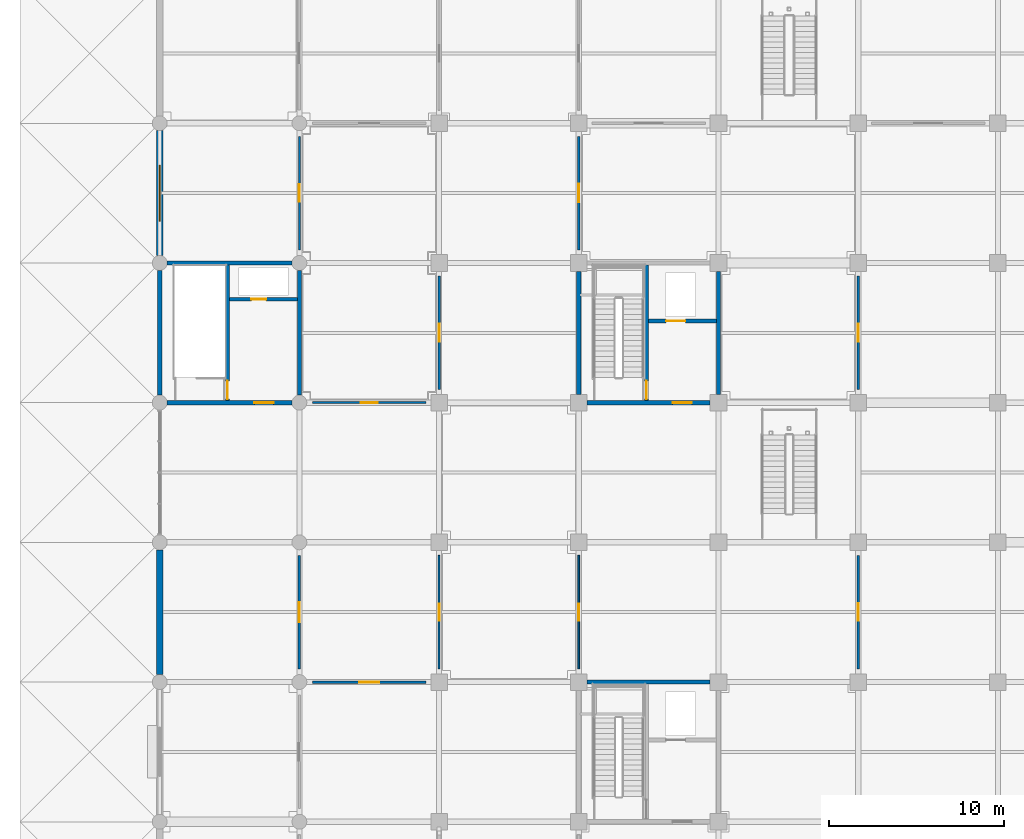
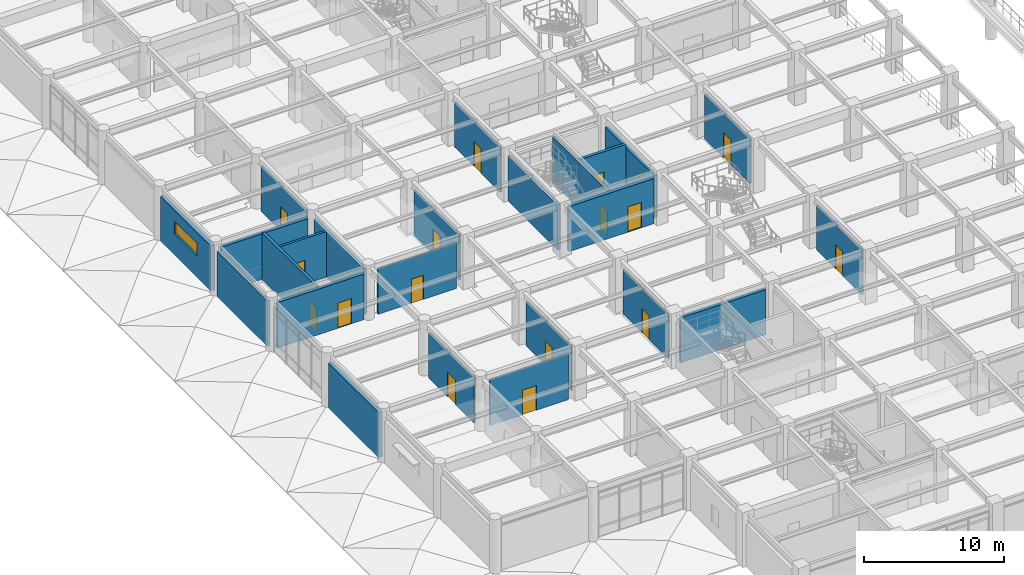
# One storey, part 71 of 109: 24 walls, 16 doors, 1 window, 17 openings.
"""IFC4 building model written with IfcOpenShell, lengths in metres."""

import ifcopenshell
import ifcopenshell.guid

model = None  # the IFC model being written
_history = None  # IfcOwnerHistory: only IFC2X3 demands one
_inside = {}  # id of a spatial element -> (the spatial element, [elements in it])
_under = {}  # id of a project, library or spatial element -> (it, [spatial elements below it])
_declared = {}  # id of a project -> (the project, [libraries it declares])
_typed = {}  # id of a type object -> (the type object, [elements of that type])
_made_of = {}  # id of a material, layer set ... -> (it, [elements and type objects made of it])


def new_model(schema):
    """Start an empty IFC model of exactly this schema.

    Asked for "IFC4X3", IfcOpenShell would pick the latest addendum, in which some entities
    have other attributes; the version numbers below select the first issue.
    IFC2X3 requires an IfcOwnerHistory on every rooted entity: one is made here for all.
    """
    global model, _history
    if schema == "IFC4X3":
        model = ifcopenshell.file(schema_version=(4, 3, 0, 0))
    else:
        model = ifcopenshell.file(schema=schema)
    _inside.clear()
    _under.clear()
    _declared.clear()
    _typed.clear()
    _made_of.clear()
    _history = None
    if model.schema == "IFC2X3":
        org = make("IfcOrganization", Name="unknown")
        user = make(
            "IfcPersonAndOrganization",
            ThePerson=make("IfcPerson", FamilyName="unknown"),
            TheOrganization=org,
        )
        app = make(
            "IfcApplication",
            ApplicationDeveloper=org,
            Version="unknown",
            ApplicationFullName="unknown",
            ApplicationIdentifier="unknown",
        )
        _history = make(
            "IfcOwnerHistory",
            OwningUser=user,
            OwningApplication=app,
            ChangeAction="ADDED",
            CreationDate=0,
        )
    return model


def make(cls, **values):
    """One entity of the class cls with the attributes given. An attribute that is None is left unset."""
    return model.create_entity(
        cls, **{name: value for name, value in values.items() if value is not None}
    )


def rooted(cls, **values):
    """An entity with a GlobalId (a new one), such as an element, a storey or a relation."""
    return make(cls, GlobalId=ifcopenshell.guid.new(), OwnerHistory=_history, **values)


def si_unit(unit_type, name, prefix=None):
    """IfcSIUnit, for example si_unit("LENGTHUNIT", "METRE", prefix="MILLI")."""
    return make("IfcSIUnit", UnitType=unit_type, Prefix=prefix, Name=name)


def assignment(units):
    """IfcUnitAssignment: the units of a project."""
    return None if units is None else make("IfcUnitAssignment", Units=units)


def point(xyz):
    """IfcCartesianPoint."""
    return None if xyz is None else make("IfcCartesianPoint", Coordinates=xyz)


def direction(xyz):
    """IfcDirection."""
    return None if xyz is None else make("IfcDirection", DirectionRatios=xyz)


def frame(location, z_axis=None, x_axis=None):
    """IfcAxis2Placement3D, a coordinate frame: its origin and axes. An axis left out is left unset."""
    return make(
        "IfcAxis2Placement3D",
        Location=point(location),
        Axis=direction(z_axis),
        RefDirection=direction(x_axis),
    )


def frame_2d(location, x_axis=None):
    """IfcAxis2Placement2D, a coordinate frame in the plane: its origin and x axis."""
    return make(
        "IfcAxis2Placement2D", Location=point(location), RefDirection=direction(x_axis)
    )


def origin():
    """The frame at (0, 0, 0) with its axes left unset."""
    return frame((0.0, 0.0, 0.0))


def place(relative_to, where):
    """IfcLocalPlacement: puts the frame where relative to a parent placement (None: the world)."""
    return make(
        "IfcLocalPlacement", PlacementRelTo=relative_to, RelativePlacement=where
    )


def context(
    kind, dimensions, precision=None, world=None, true_north=None, identifier=None
):
    """IfcGeometricRepresentationContext, for example the 3D "Model" context."""
    return make(
        "IfcGeometricRepresentationContext",
        ContextIdentifier=identifier,
        ContextType=kind,
        CoordinateSpaceDimension=dimensions,
        Precision=precision,
        WorldCoordinateSystem=world,
        TrueNorth=true_north,
    )


def subcontext(parent, identifier, kind, view, scale=None):
    """IfcGeometricRepresentationSubContext, for example "Body" below "Model"."""
    return make(
        "IfcGeometricRepresentationSubContext",
        ContextIdentifier=identifier,
        ContextType=kind,
        ParentContext=parent,
        TargetScale=scale,
        TargetView=view,
    )


def project(units=None, contexts=None):
    """IfcProject with its units and contexts."""
    return rooted(
        "IfcProject",
        Name="project",
        RepresentationContexts=contexts,
        UnitsInContext=assignment(units),
    )


def spatial(cls, under=None, at=None, **own):
    """A site, building, storey or space (cls), placed at a placement, below another one or the project."""
    s = rooted(cls, ObjectPlacement=at, **own)
    if under is not None:
        _under.setdefault(under.id(), (under, []))[1].append(s)
    return s


def profile(cls, at=None, kind="AREA", **sizes):
    """A parametric profile (cls). Its sizes go by their IFC names, for example OverallWidth=200.0."""
    return make(cls, ProfileType=kind, Position=at, **sizes)


def rectangle(**sizes):
    """IfcRectangleProfileDef."""
    return profile("IfcRectangleProfileDef", **sizes)


def extrude(swept, where, along, depth):
    """IfcExtrudedAreaSolid: the profile swept, set in the frame where, extruded along a direction by depth."""
    return make(
        "IfcExtrudedAreaSolid",
        SweptArea=swept,
        Position=where,
        ExtrudedDirection=direction(along),
        Depth=depth,
    )


def shape(context_of_items, identifier, shape_type, items):
    """IfcShapeRepresentation: the items that make up one representation, for example the "Body"."""
    return make(
        "IfcShapeRepresentation",
        ContextOfItems=context_of_items,
        RepresentationIdentifier=identifier,
        RepresentationType=shape_type,
        Items=items,
    )


def material(Name=None, Category=None):
    """IfcMaterial."""
    return make("IfcMaterial", Name=Name, Category=Category)


def layer(
    of_material, thickness, ventilated=None, Name=None, Category=None, Priority=None
):
    """IfcMaterialLayer: one layer of a wall or slab, of a material (None: an air gap)."""
    return make(
        "IfcMaterialLayer",
        Material=of_material,
        LayerThickness=thickness,
        IsVentilated=ventilated,
        Name=Name,
        Category=Category,
        Priority=Priority,
    )


def layer_set(layers, Name=None):
    """IfcMaterialLayerSet."""
    return make("IfcMaterialLayerSet", MaterialLayers=layers, LayerSetName=Name)


def made_of(thing, what):
    """Note that an element or type object is made of a material, layer set ...; save() writes the relation."""
    if what is not None:
        _made_of.setdefault(what.id(), (what, []))[1].append(thing)
    return thing


def type_object(cls, material=None, **own):
    """A type object (cls), such as IfcWallType, which elements share."""
    return made_of(rooted(cls, **own), material)


def element(
    cls,
    number,
    at=None,
    inside=None,
    cuts=None,
    type_object=None,
    material=None,
    context=None,
    identifier="Body",
    shape_type=None,
    held_by="IfcProductDefinitionShape",
    body=None,
    shapes=None,
    **own,
):
    """One element of the class cls, such as IfcWall. Its Tag is "e" and its number.

    at: its placement. inside: the storey or other place that contains it. cuts: it is an
    opening in that element (IfcRelVoidsElement). A single representation is given by context,
    identifier, shape_type and body (its items); several are given by shapes. held_by: the class
    of the entity that holds the representations. save() writes the other relations.
    """
    e = rooted(cls, Tag="e%d" % number, ObjectPlacement=at, **own)
    if body is not None:
        shapes = [shape(context, identifier, shape_type, body)]
    if shapes is not None:
        e.Representation = make(held_by, Representations=shapes)
    if inside is not None:
        _inside.setdefault(inside.id(), (inside, []))[1].append(e)
    if cuts is not None:
        rooted(
            "IfcRelVoidsElement", RelatingBuildingElement=cuts, RelatedOpeningElement=e
        )
    if type_object is not None:
        _typed.setdefault(type_object.id(), (type_object, []))[1].append(e)
    return made_of(e, material)


def fill(opening, filler):
    """IfcRelFillsElement: the door or window that sits in an opening."""
    return rooted(
        "IfcRelFillsElement",
        RelatingOpeningElement=opening,
        RelatedBuildingElement=filler,
    )


def aggregate(whole, parts):
    """IfcRelAggregates: a whole, such as a stair, and the parts it consists of."""
    return rooted("IfcRelAggregates", RelatingObject=whole, RelatedObjects=parts)


def save(model, path):
    """Write the relations noted so far, then the file.

    IfcRelAggregates (storeys below a building ...), IfcRelContainedInSpatialStructure (elements
    in a storey), IfcRelDefinesByType, IfcRelAssociatesMaterial and IfcRelDeclares: one each for
    every whole, place, type object, material and project.
    """
    for whole, parts in _under.values():
        aggregate(whole, parts)
    for where, things in _inside.values():
        rooted(
            "IfcRelContainedInSpatialStructure",
            RelatedElements=things,
            RelatingStructure=where,
        )
    for kind, things in _typed.values():
        rooted("IfcRelDefinesByType", RelatedObjects=things, RelatingType=kind)
    for what, things in _made_of.values():
        rooted("IfcRelAssociatesMaterial", RelatedObjects=things, RelatingMaterial=what)
    for by, libraries in _declared.values():
        rooted("IfcRelDeclares", RelatingContext=by, RelatedDefinitions=libraries)
    model.write(path)


model = new_model("IFC4")

# Units and contexts
model_context = context("Model", 3, precision=1e-05, world=origin(), true_north=direction((0.0, 1.0)))
body_context = subcontext(model_context, "Body", "Model", "MODEL_VIEW")
ifc_project = project(units=[si_unit("LENGTHUNIT", "METRE"), si_unit("AREAUNIT", "SQUARE_METRE"), si_unit("VOLUMEUNIT", "CUBIC_METRE"), si_unit("PLANEANGLEUNIT", "RADIAN"), si_unit("MASSUNIT", "GRAM", prefix="KILO")], contexts=[model_context])

# Site, building, storey
site_placement = place(None, origin())
site = spatial("IfcSite", under=ifc_project, at=site_placement, CompositionType="ELEMENT")
building_placement = place(site_placement, origin())
building = spatial("IfcBuilding", under=site, at=building_placement, Name="Haebicheon Civic Stadium", CompositionType="ELEMENT")
storey_placement = place(building_placement, frame((0.0, 0.0, 9.60009765625)))
storey = spatial("IfcBuildingStorey", under=building, at=storey_placement, Name="L03", CompositionType="ELEMENT", Elevation=9.60009765625)

# Wall
ifc_material_1 = material(Name="Concrete C40/50", Category="concrete")
ifc_layer_1 = layer(ifc_material_1, 0.239990234375, Name="Concrete C40/50")
ifc_layer_set_1 = layer_set([ifc_layer_1], Name="Concrete C40/50")
wall_type_1 = type_object("IfcWallType", Name="CW-SHR-240", PredefinedType="SHEAR", material=ifc_layer_set_1)
wall_1_placement = place(storey_placement, frame((32.47509765625, 64.0, 0.0), z_axis=(0.0, 0.0, 1.0), x_axis=(1.0, 0.0, 0.0)))
element("IfcWall", 1, at=wall_1_placement, inside=storey, type_object=wall_type_1, material=ifc_layer_set_1, Name="KC-02 L03 north core shear wall", PredefinedType="SHEAR", context=body_context, shape_type="SweptSolid", body=[
    extrude(rectangle(XDim=7.0498046875, YDim=0.239990234375, at=frame_2d((3.52490234375, 0.0))), origin(), (0.0, 0.0, 1.0), 3.929931640625),
])

# Wall, opening, door
wall_2_placement = place(storey_placement, frame((32.47509765625, 80.0, 0.0), z_axis=(0.0, 0.0, 1.0), x_axis=(1.0, 0.0, 0.0)))
wall_2 = element("IfcWall", 2, at=wall_2_placement, inside=storey, type_object=wall_type_1, material=ifc_layer_set_1, Name="KC-03 L03 south core shear wall", PredefinedType="SHEAR", context=body_context, shape_type="SweptSolid", body=[
    extrude(rectangle(XDim=7.0498046875, YDim=0.239990234375, at=frame_2d((3.52490234375, 0.0))), origin(), (0.0, 0.0, 1.0), 3.929931640625),
])
opening_1_placement = place(wall_2_placement, frame((4.89990234375, 0.0, 0.0)))
opening_1 = element("IfcOpeningElement", 3, at=opening_1_placement, cuts=wall_2, Name="Opening D-L03-KC-03-LOB", PredefinedType="OPENING", context=body_context, shape_type="SweptSolid", body=[
    extrude(rectangle(XDim=1.10009765625, YDim=2.199951171875, at=frame_2d((0.550048828125, 1.10009765625))), frame((0.0, 0.1298828125, 0.0), z_axis=(0.0, -1.0, 0.0), x_axis=(1.0, 0.0, 0.0)), (0.0, 0.0, 1.0), 0.260009765625),
])
ifc_material_2 = material(Name="Galvanised painted steel SM355", Category="steel")
door_type_1 = type_object("IfcDoorType", Name="ID-FD-1100", OperationType="NOTDEFINED", PredefinedType="DOOR", material=ifc_material_2)
door_1_placement = place(opening_1_placement, origin())
door_1 = element("IfcDoor", 4, at=door_1_placement, inside=storey, type_object=door_type_1, material=ifc_material_2, Name="L03 KC-03 lobby fire door", OperationType="SINGLE_SWING_RIGHT", OverallHeight=2.199951171875, OverallWidth=1.10009765625, PredefinedType="DOOR", context=body_context, shape_type="SweptSolid", body=[
    extrude(rectangle(XDim=1.10009765625, YDim=2.199951171875, at=frame_2d((0.550048828125, 1.10009765625))), frame((0.0, 0.02490234375, 0.0), z_axis=(0.0, -1.0, 0.0), x_axis=(1.0, 0.0, 0.0)), (0.0, 0.0, 1.0), 0.050048828125),
])
fill(opening_1, door_1)

# Walls
wall_3_placement = place(storey_placement, frame((32.0, 80.47509765625, 0.0), z_axis=(0.0, 0.0, 1.0), x_axis=(0.0, 1.0, 0.0)))
element("IfcWall", 5, at=wall_3_placement, inside=storey, type_object=wall_type_1, material=ifc_layer_set_1, Name="KC-03 L03 west core shear wall", PredefinedType="SHEAR", context=body_context, shape_type="SweptSolid", body=[
    extrude(rectangle(XDim=7.0498046875, YDim=0.239990234375, at=frame_2d((3.52490234375, 0.0))), origin(), (0.0, 0.0, 1.0), 3.929931640625),
])
wall_4_placement = place(storey_placement, frame((40.0, 80.47509765625, 0.0), z_axis=(0.0, 0.0, 1.0), x_axis=(0.0, 1.0, 0.0)))
element("IfcWall", 6, at=wall_4_placement, inside=storey, type_object=wall_type_1, material=ifc_layer_set_1, Name="KC-03 L03 east core shear wall", PredefinedType="SHEAR", context=body_context, shape_type="SweptSolid", body=[
    extrude(rectangle(XDim=7.0498046875, YDim=0.239990234375, at=frame_2d((3.52490234375, 0.0))), origin(), (0.0, 0.0, 1.0), 3.679931640625),
])

# Wall, opening, door
wall_5_placement = place(storey_placement, frame((35.8798828125, 80.1201171875, 0.0), z_axis=(0.0, 0.0, 1.0), x_axis=(0.0, 1.0, 0.0)))
wall_5 = element("IfcWall", 7, at=wall_5_placement, inside=storey, type_object=wall_type_1, material=ifc_layer_set_1, Name="KC-03 L03 stair-lobby dividing shear wall", PredefinedType="SHEAR", context=body_context, shape_type="SweptSolid", body=[
    extrude(rectangle(XDim=7.759765625, YDim=0.239990234375, at=frame_2d((3.8798828125, 0.0))), origin(), (0.0, 0.0, 1.0), 4.02978515625),
])
opening_2_placement = place(wall_5_placement, frame((0.080078125, 0.0, 0.0)))
opening_2 = element("IfcOpeningElement", 8, at=opening_2_placement, cuts=wall_5, Name="Opening D-L03-KC-03-STR", PredefinedType="OPENING", context=body_context, shape_type="SweptSolid", body=[
    extrude(rectangle(XDim=1.050048828125, YDim=2.14990234375, at=frame_2d((0.52490234375, 1.074951171875))), frame((0.0, 0.1298828125, 0.0), z_axis=(0.0, -1.0, 0.0), x_axis=(1.0, 0.0, 0.0)), (0.0, 0.0, 1.0), 0.260009765625),
])
ifc_material_3 = material(Name="Galvanised painted steel SM355", Category="steel")
door_type_2 = type_object("IfcDoorType", Name="ID-FD-1050", OperationType="NOTDEFINED", PredefinedType="DOOR", material=ifc_material_3)
door_2_placement = place(opening_2_placement, origin())
door_2 = element("IfcDoor", 9, at=door_2_placement, inside=storey, type_object=door_type_2, material=ifc_material_3, Name="L03 ST-03 stairwell escape door", OperationType="SINGLE_SWING_LEFT", OverallHeight=2.14990234375, OverallWidth=1.050048828125, PredefinedType="DOOR", context=body_context, shape_type="SweptSolid", body=[
    extrude(rectangle(XDim=1.050048828125, YDim=2.14990234375, at=frame_2d((0.52490234375, 1.074951171875))), frame((0.0, 0.02490234375, 0.0), z_axis=(0.0, -1.0, 0.0), x_axis=(1.0, 0.0, 0.0)), (0.0, 0.0, 1.0), 0.050048828125),
])
fill(opening_2, door_2)

wall_6_placement = place(storey_placement, frame((36.0, 84.679931640625, 0.0), z_axis=(0.0, 0.0, 1.0), x_axis=(1.0, 0.0, 0.0)))
wall_6 = element("IfcWall", 10, at=wall_6_placement, inside=storey, type_object=wall_type_1, material=ifc_layer_set_1, Name="KC-03 L03 lift shaft front wall", PredefinedType="SHEAR", context=body_context, shape_type="SweptSolid", body=[
    extrude(rectangle(XDim=3.8798828125, YDim=0.239990234375, at=frame_2d((1.93994140625, 0.0))), origin(), (0.0, 0.0, 1.0), 3.929931640625),
])
opening_3_placement = place(wall_6_placement, frame((1.0, 0.0, 0.0)))
opening_3 = element("IfcOpeningElement", 11, at=opening_3_placement, cuts=wall_6, Name="Opening LD-03-L03", PredefinedType="OPENING", context=body_context, shape_type="SweptSolid", body=[
    extrude(rectangle(XDim=1.10009765625, YDim=2.14990234375, at=frame_2d((0.550048828125, 1.074951171875))), frame((0.0, 0.1298828125, 0.0), z_axis=(0.0, -1.0, 0.0), x_axis=(1.0, 0.0, 0.0)), (0.0, 0.0, 1.0), 0.260009765625),
])
ifc_material_4 = material(Name="Stainless steel 316", Category="steel")
door_type_3 = type_object("IfcDoorType", Name="ID-LD-1100", OperationType="NOTDEFINED", PredefinedType="DOOR", material=ifc_material_4)
door_3_placement = place(opening_3_placement, origin())
door_3 = element("IfcDoor", 12, at=door_3_placement, inside=storey, type_object=door_type_3, material=ifc_material_4, Name="LF-03 lift landing sliding door L03", OperationType="SLIDING_TO_LEFT", OverallHeight=2.14990234375, OverallWidth=1.10009765625, PredefinedType="DOOR", context=body_context, shape_type="SweptSolid", body=[
    extrude(rectangle(XDim=1.10009765625, YDim=2.14990234375, at=frame_2d((0.550048828125, 1.074951171875))), frame((0.0, 0.02490234375, 0.0), z_axis=(0.0, -1.0, 0.0), x_axis=(1.0, 0.0, 0.0)), (0.0, 0.0, 1.0), 0.050048828125),
])
fill(opening_3, door_3)

wall_7_placement = place(storey_placement, frame((8.425048828125, 80.0, 0.0), z_axis=(0.0, 0.0, 1.0), x_axis=(1.0, 0.0, 0.0)))
wall_7 = element("IfcWall", 13, at=wall_7_placement, inside=storey, type_object=wall_type_1, material=ifc_layer_set_1, Name="KC-15 L03 south core shear wall", PredefinedType="SHEAR", context=body_context, shape_type="SweptSolid", body=[
    extrude(rectangle(XDim=7.14990234375, YDim=0.239990234375, at=frame_2d((3.574951171875, 0.0))), origin(), (0.0, 0.0, 1.0), 3.969970703125),
])
opening_4_placement = place(wall_7_placement, frame((5.0, 0.0, 0.0)))
opening_4 = element("IfcOpeningElement", 14, at=opening_4_placement, cuts=wall_7, Name="Opening D-L03-KC-15-LOB", PredefinedType="OPENING", context=body_context, shape_type="SweptSolid", body=[
    extrude(rectangle(XDim=1.10009765625, YDim=2.199951171875, at=frame_2d((0.550048828125, 1.10009765625))), frame((0.0, 0.1298828125, 0.0), z_axis=(0.0, -1.0, 0.0), x_axis=(1.0, 0.0, 0.0)), (0.0, 0.0, 1.0), 0.260009765625),
])
door_4_placement = place(opening_4_placement, origin())
door_4 = element("IfcDoor", 15, at=door_4_placement, inside=storey, type_object=door_type_1, material=ifc_material_2, Name="L03 KC-15 lobby fire door", OperationType="SINGLE_SWING_LEFT", OverallHeight=2.199951171875, OverallWidth=1.10009765625, PredefinedType="DOOR", context=body_context, shape_type="SweptSolid", body=[
    extrude(rectangle(XDim=1.10009765625, YDim=2.199951171875, at=frame_2d((0.550048828125, 1.10009765625))), frame((0.0, 0.02490234375, 0.0), z_axis=(0.0, -1.0, 0.0), x_axis=(1.0, 0.0, 0.0)), (0.0, 0.0, 1.0), 0.050048828125),
])
fill(opening_4, door_4)

# Walls
for number, where, z_axis, x_axis, name in (
    (16, (8.425048828125, 88.0, 0.0), (0.0, 0.0, 1.0), (1.0, 0.0, 0.0), "KC-15 L03 north core shear wall"),
    (17, (8.0, 80.425048828125, 0.0), (0.0, 0.0, 1.0), (0.0, 1.0, 0.0), "KC-15 L03 west core shear wall"),
    (18, (16.0, 80.425048828125, 0.0), (0.0, 0.0, 1.0), (0.0, 1.0, 0.0), "KC-15 L03 east core shear wall"),
):
    element("IfcWall", number, at=place(storey_placement, frame(where, z_axis=z_axis, x_axis=x_axis)), inside=storey, type_object=wall_type_1, material=ifc_layer_set_1, Name=name, PredefinedType="SHEAR", context=body_context, shape_type="SweptSolid", body=[
        extrude(rectangle(XDim=7.14990234375, YDim=0.239990234375, at=frame_2d((3.574951171875, 0.0))), origin(), (0.0, 0.0, 1.0), 3.969970703125),
    ])

# Wall, opening, door
wall_8_placement = place(storey_placement, frame((11.8798828125, 80.1201171875, 0.0), z_axis=(0.0, 0.0, 1.0), x_axis=(0.0, 1.0, 0.0)))
wall_8 = element("IfcWall", 19, at=wall_8_placement, inside=storey, type_object=wall_type_1, material=ifc_layer_set_1, Name="KC-15 L03 stair-lobby dividing shear wall", PredefinedType="SHEAR", context=body_context, shape_type="SweptSolid", body=[
    extrude(rectangle(XDim=7.759765625, YDim=0.239990234375, at=frame_2d((3.8798828125, 0.0))), origin(), (0.0, 0.0, 1.0), 4.06982421875),
])
opening_5_placement = place(wall_8_placement, frame((0.080078125, 0.0, 0.0)))
opening_5 = element("IfcOpeningElement", 20, at=opening_5_placement, cuts=wall_8, Name="Opening D-L03-KC-15-STR", PredefinedType="OPENING", context=body_context, shape_type="SweptSolid", body=[
    extrude(rectangle(XDim=1.050048828125, YDim=2.14990234375, at=frame_2d((0.52490234375, 1.074951171875))), frame((0.0, 0.1298828125, 0.0), z_axis=(0.0, -1.0, 0.0), x_axis=(1.0, 0.0, 0.0)), (0.0, 0.0, 1.0), 0.260009765625),
])
door_5_placement = place(opening_5_placement, origin())
door_5 = element("IfcDoor", 21, at=door_5_placement, inside=storey, type_object=door_type_2, material=ifc_material_3, Name="L03 ST-15 stairwell escape door", OperationType="SINGLE_SWING_RIGHT", OverallHeight=2.14990234375, OverallWidth=1.050048828125, PredefinedType="DOOR", context=body_context, shape_type="SweptSolid", body=[
    extrude(rectangle(XDim=1.050048828125, YDim=2.14990234375, at=frame_2d((0.52490234375, 1.074951171875))), frame((0.0, 0.02490234375, 0.0), z_axis=(0.0, -1.0, 0.0), x_axis=(1.0, 0.0, 0.0)), (0.0, 0.0, 1.0), 0.050048828125),
])
fill(opening_5, door_5)

# Wall
ifc_material_5 = material(Name="Concrete C40/50", Category="concrete")
ifc_layer_2 = layer(ifc_material_5, 0.35009765625, Name="Concrete C40/50")
ifc_layer_set_2 = layer_set([ifc_layer_2], Name="Concrete C40/50")
wall_type_2 = type_object("IfcWallType", Name="EW-BM-350", PredefinedType="SOLIDWALL", material=ifc_layer_set_2)
wall_9_placement = place(storey_placement, frame((8.0, 64.425048828125, 0.0), z_axis=(0.0, 0.0, 1.0), x_axis=(0.0, 1.0, 0.0)))
element("IfcWall", 22, at=wall_9_placement, inside=storey, type_object=wall_type_2, material=ifc_layer_set_2, Name="L03 board-marked concrete facade wall 01-08-W", PredefinedType="SOLIDWALL", context=body_context, shape_type="SweptSolid", body=[
    extrude(rectangle(XDim=7.14990234375, YDim=0.35009765625, at=frame_2d((3.574951171875, 0.0))), origin(), (0.0, 0.0, 1.0), 3.949951171875),
])

# Wall, opening, window
wall_10_placement = place(storey_placement, frame((8.0, 88.425048828125, 0.0), z_axis=(0.0, 0.0, 1.0), x_axis=(0.0, 1.0, 0.0)))
wall_10 = element("IfcWall", 23, at=wall_10_placement, inside=storey, type_object=wall_type_2, material=ifc_layer_set_2, Name="L03 board-marked concrete facade wall 01-11-W", PredefinedType="SOLIDWALL", context=body_context, shape_type="SweptSolid", body=[
    extrude(rectangle(XDim=7.14990234375, YDim=0.35009765625, at=frame_2d((3.574951171875, 0.0))), origin(), (0.0, 0.0, 1.0), 3.949951171875),
])
opening_6_placement = place(wall_10_placement, frame((1.97509765625, 0.0, 1.89990234375)))
opening_6 = element("IfcOpeningElement", 24, at=opening_6_placement, cuts=wall_10, Name="Opening WIN-320x110", PredefinedType="OPENING", context=body_context, shape_type="SweptSolid", body=[
    extrude(rectangle(XDim=3.199951171875, YDim=1.10009765625, at=frame_2d((1.60009765625, 0.550048828125))), frame((0.0, 0.18505859375, 0.0), z_axis=(0.0, -1.0, 0.0), x_axis=(1.0, 0.0, 0.0)), (0.0, 0.0, 1.0), 0.3701171875),
])
ifc_material_6 = material(Name="Anodised aluminium and laminated glass", Category="aluminium")
window_type = type_object("IfcWindowType", Name="WIN-320x110", PartitioningType="SINGLE_PANEL", PredefinedType="LIGHTDOME", material=ifc_material_6)
window_placement = place(opening_6_placement, origin())
window = element("IfcWindow", 25, at=window_placement, inside=storey, type_object=window_type, material=ifc_material_6, Name="L03 facade window 066", OverallHeight=1.10009765625, OverallWidth=3.199951171875, PartitioningType="SINGLE_PANEL", PredefinedType="LIGHTDOME", context=body_context, shape_type="SweptSolid", body=[
    extrude(rectangle(XDim=3.199951171875, YDim=1.10009765625, at=frame_2d((1.60009765625, 0.550048828125))), frame((0.0, 0.030029296875, 0.0), z_axis=(0.0, -1.0, 0.0), x_axis=(1.0, 0.0, 0.0)), (0.0, 0.0, 1.0), 0.06005859375),
])
fill(opening_6, window)

# Wall, opening, door
ifc_material_7 = material(Name="Concrete C35/45", Category="concrete")
ifc_layer_3 = layer(ifc_material_7, 0.199951171875, Name="Concrete C35/45")
ifc_layer_set_3 = layer_set([ifc_layer_3], Name="Concrete C35/45")
wall_type_3 = type_object("IfcWallType", Name="IW-FIR-200", PredefinedType="PARTITIONING", material=ifc_layer_set_3)
wall_11_placement = place(storey_placement, frame((12.0, 85.919921875, 0.0), z_axis=(0.0, 0.0, 1.0), x_axis=(1.0, 0.0, 0.0)))
wall_11 = element("IfcWall", 26, at=wall_11_placement, inside=storey, type_object=wall_type_3, material=ifc_layer_set_3, Name="KC-15 L03 service riser wall", PredefinedType="PARTITIONING", context=body_context, shape_type="SweptSolid", body=[
    extrude(rectangle(XDim=3.8798828125, YDim=0.199951171875, at=frame_2d((1.93994140625, 0.0))), origin(), (0.0, 0.0, 1.0), 3.969970703125),
])
opening_7_placement = place(wall_11_placement, frame((1.25, 0.0, 0.0)))
opening_7 = element("IfcOpeningElement", 27, at=opening_7_placement, cuts=wall_11, Name="Opening D-L03-KC-15-RSR", PredefinedType="OPENING", context=body_context, shape_type="SweptSolid", body=[
    extrude(rectangle(XDim=0.85009765625, YDim=2.050048828125, at=frame_2d((0.425048828125, 1.02490234375))), frame((0.0, 0.10986328125, 0.0), z_axis=(0.0, -1.0, 0.0), x_axis=(1.0, 0.0, 0.0)), (0.0, 0.0, 1.0), 0.219970703125),
])
ifc_material_8 = material(Name="Galvanised painted steel SM355", Category="steel")
door_type_4 = type_object("IfcDoorType", Name="ID-RSR-0850", OperationType="NOTDEFINED", PredefinedType="TRAPDOOR", material=ifc_material_8)
door_6_placement = place(opening_7_placement, origin())
door_6 = element("IfcDoor", 28, at=door_6_placement, inside=storey, type_object=door_type_4, material=ifc_material_8, Name="L03 KC-15 riser access door", OperationType="SINGLE_SWING_LEFT", OverallHeight=2.050048828125, OverallWidth=0.85009765625, PredefinedType="TRAPDOOR", context=body_context, shape_type="SweptSolid", body=[
    extrude(rectangle(XDim=0.85009765625, YDim=2.050048828125, at=frame_2d((0.425048828125, 1.02490234375))), frame((0.0, 0.02490234375, 0.0), z_axis=(0.0, -1.0, 0.0), x_axis=(1.0, 0.0, 0.0)), (0.0, 0.0, 1.0), 0.050048828125),
])
fill(opening_7, door_6)

ifc_material_9 = material(Name="Anodised aluminium and laminated glass", Category="aluminium")
ifc_layer_4 = layer(ifc_material_9, 0.10009765625, Name="Anodised aluminium and laminated glass")
ifc_layer_set_4 = layer_set([ifc_layer_4], Name="Anodised aluminium and laminated glass")
wall_type_4 = type_object("IfcWallType", Name="IW-PRT-100", PredefinedType="PARTITIONING", material=ifc_layer_set_4)
wall_12_placement = place(storey_placement, frame((24.0, 64.75, 0.0), z_axis=(0.0, 0.0, 1.0), x_axis=(0.0, 1.0, 0.0)))
wall_12 = element("IfcWall", 29, at=wall_12_placement, inside=storey, type_object=wall_type_4, material=ifc_layer_set_4, Name="L03 Club Beverage Bar partition wall", PredefinedType="PARTITIONING", context=body_context, shape_type="SweptSolid", body=[
    extrude(rectangle(XDim=6.5, YDim=0.10009765625, at=frame_2d((3.25, 0.0))), origin(), (0.0, 0.0, 1.0), 3.929931640625),
])
opening_8_placement = place(wall_12_placement, frame((2.77490234375, 0.0, 0.0)))
opening_8 = element("IfcOpeningElement", 30, at=opening_8_placement, cuts=wall_12, Name="Opening D-L03-267", PredefinedType="OPENING", context=body_context, shape_type="SweptSolid", body=[
    extrude(rectangle(XDim=0.949951171875, YDim=2.10009765625, at=frame_2d((0.47509765625, 1.050048828125))), frame((0.0, 0.06005859375, 0.0), z_axis=(0.0, -1.0, 0.0), x_axis=(1.0, 0.0, 0.0)), (0.0, 0.0, 1.0), 0.1201171875),
])
ifc_material_10 = material(Name="Engineered hardwood timber", Category="wood")
door_type_5 = type_object("IfcDoorType", Name="ID-RM-0950", OperationType="NOTDEFINED", PredefinedType="DOOR", material=ifc_material_10)
door_7_placement = place(opening_8_placement, origin())
door_7 = element("IfcDoor", 31, at=door_7_placement, inside=storey, type_object=door_type_5, material=ifc_material_10, Name="L03 Club Beverage Bar entrance door D-L03-267", OperationType="SINGLE_SWING_LEFT", OverallHeight=2.10009765625, OverallWidth=0.949951171875, PredefinedType="DOOR", context=body_context, shape_type="SweptSolid", body=[
    extrude(rectangle(XDim=0.949951171875, YDim=2.10009765625, at=frame_2d((0.47509765625, 1.050048828125))), frame((0.0, 0.02490234375, 0.0), z_axis=(0.0, -1.0, 0.0), x_axis=(1.0, 0.0, 0.0)), (0.0, 0.0, 1.0), 0.050048828125),
])
fill(opening_8, door_7)

wall_13_placement = place(storey_placement, frame((32.0, 64.75, 0.0), z_axis=(0.0, 0.0, 1.0), x_axis=(0.0, 1.0, 0.0)))
wall_13 = element("IfcWall", 32, at=wall_13_placement, inside=storey, type_object=wall_type_4, material=ifc_layer_set_4, Name="L03 Club Beverage Bar partition wall", PredefinedType="PARTITIONING", context=body_context, shape_type="SweptSolid", body=[
    extrude(rectangle(XDim=6.5, YDim=0.10009765625, at=frame_2d((3.25, 0.0))), origin(), (0.0, 0.0, 1.0), 3.929931640625),
])
opening_9_placement = place(wall_13_placement, frame((2.77490234375, 0.0, 0.0)))
opening_9 = element("IfcOpeningElement", 33, at=opening_9_placement, cuts=wall_13, Name="Opening D-L03-275", PredefinedType="OPENING", context=body_context, shape_type="SweptSolid", body=[
    extrude(rectangle(XDim=0.949951171875, YDim=2.10009765625, at=frame_2d((0.47509765625, 1.050048828125))), frame((0.0, 0.06005859375, 0.0), z_axis=(0.0, -1.0, 0.0), x_axis=(1.0, 0.0, 0.0)), (0.0, 0.0, 1.0), 0.1201171875),
])
door_8_placement = place(opening_9_placement, origin())
door_8 = element("IfcDoor", 34, at=door_8_placement, inside=storey, type_object=door_type_5, material=ifc_material_10, Name="L03 Club Beverage Bar entrance door D-L03-275", OperationType="SINGLE_SWING_LEFT", OverallHeight=2.10009765625, OverallWidth=0.949951171875, PredefinedType="DOOR", context=body_context, shape_type="SweptSolid", body=[
    extrude(rectangle(XDim=0.949951171875, YDim=2.10009765625, at=frame_2d((0.47509765625, 1.050048828125))), frame((0.0, 0.02490234375, 0.0), z_axis=(0.0, -1.0, 0.0), x_axis=(1.0, 0.0, 0.0)), (0.0, 0.0, 1.0), 0.050048828125),
])
fill(opening_9, door_8)

ifc_material_11 = material(Name="Gypsum plasterboard on steel studs", Category="gypsum")
ifc_layer_5 = layer(ifc_material_11, 0.1201171875, Name="Gypsum plasterboard on steel studs")
ifc_layer_set_5 = layer_set([ifc_layer_5], Name="Gypsum plasterboard on steel studs")
wall_type_5 = type_object("IfcWallType", Name="IW-PRT-120", PredefinedType="PARTITIONING", material=ifc_layer_set_5)
wall_14_placement = place(storey_placement, frame((16.75, 80.0, 0.0), z_axis=(0.0, 0.0, 1.0), x_axis=(1.0, 0.0, 0.0)))
wall_14 = element("IfcWall", 35, at=wall_14_placement, inside=storey, type_object=wall_type_5, material=ifc_layer_set_5, Name="L03 West Boulevard Viewing Gallery partition wall", PredefinedType="PARTITIONING", context=body_context, shape_type="SweptSolid", body=[
    extrude(rectangle(XDim=6.5, YDim=0.1201171875, at=frame_2d((3.25, 0.0))), origin(), (0.0, 0.0, 1.0), 3.969970703125),
])
opening_10_placement = place(wall_14_placement, frame((2.75, 0.0, 0.0)))
opening_10 = element("IfcOpeningElement", 36, at=opening_10_placement, cuts=wall_14, Name="Opening D-L03-346", PredefinedType="OPENING", context=body_context, shape_type="SweptSolid", body=[
    extrude(rectangle(XDim=1.0, YDim=2.10009765625, at=frame_2d((0.5, 1.050048828125))), frame((0.0, 0.070068359375, 0.0), z_axis=(0.0, -1.0, 0.0), x_axis=(1.0, 0.0, 0.0)), (0.0, 0.0, 1.0), 0.14013671875),
])
ifc_material_12 = material(Name="Engineered hardwood timber", Category="wood")
door_type_6 = type_object("IfcDoorType", Name="ID-RM-1000", OperationType="NOTDEFINED", PredefinedType="DOOR", material=ifc_material_12)
door_9_placement = place(opening_10_placement, origin())
door_9 = element("IfcDoor", 37, at=door_9_placement, inside=storey, type_object=door_type_6, material=ifc_material_12, Name="L03 West Boulevard Viewing Gallery entrance door D-L03-346", OperationType="SINGLE_SWING_RIGHT", OverallHeight=2.10009765625, OverallWidth=1.0, PredefinedType="DOOR", context=body_context, shape_type="SweptSolid", body=[
    extrude(rectangle(XDim=1.0, YDim=2.10009765625, at=frame_2d((0.5, 1.050048828125))), frame((0.0, 0.02490234375, 0.0), z_axis=(0.0, -1.0, 0.0), x_axis=(1.0, 0.0, 0.0)), (0.0, 0.0, 1.0), 0.050048828125),
])
fill(opening_10, door_9)

ifc_material_13 = material(Name="Gypsum plasterboard on steel studs", Category="gypsum")
ifc_layer_6 = layer(ifc_material_13, 0.1298828125, Name="Gypsum plasterboard on steel studs")
ifc_layer_set_6 = layer_set([ifc_layer_6], Name="Gypsum plasterboard on steel studs")
wall_type_6 = type_object("IfcWallType", Name="IW-PRT-130", PredefinedType="PARTITIONING", material=ifc_layer_set_6)
wall_15_placement = place(storey_placement, frame((48.0, 64.75, 0.0), z_axis=(0.0, 0.0, 1.0), x_axis=(0.0, 1.0, 0.0)))
wall_15 = element("IfcWall", 38, at=wall_15_placement, inside=storey, type_object=wall_type_6, material=ifc_layer_set_6, Name="L03 Club Beverage Bar partition wall", PredefinedType="PARTITIONING", context=body_context, shape_type="SweptSolid", body=[
    extrude(rectangle(XDim=6.5, YDim=0.1298828125, at=frame_2d((3.25, 0.0))), origin(), (0.0, 0.0, 1.0), 3.929931640625),
])
opening_11_placement = place(wall_15_placement, frame((2.75, 0.0, 0.0)))
opening_11 = element("IfcOpeningElement", 39, at=opening_11_placement, cuts=wall_15, Name="Opening D-L03-284", PredefinedType="OPENING", context=body_context, shape_type="SweptSolid", body=[
    extrude(rectangle(XDim=1.0, YDim=2.10009765625, at=frame_2d((0.5, 1.050048828125))), frame((0.0, 0.074951171875, 0.0), z_axis=(0.0, -1.0, 0.0), x_axis=(1.0, 0.0, 0.0)), (0.0, 0.0, 1.0), 0.14990234375),
])
door_10_placement = place(opening_11_placement, origin())
door_10 = element("IfcDoor", 40, at=door_10_placement, inside=storey, type_object=door_type_6, material=ifc_material_12, Name="L03 Club Beverage Bar entrance door D-L03-284", OperationType="SINGLE_SWING_RIGHT", OverallHeight=2.10009765625, OverallWidth=1.0, PredefinedType="DOOR", context=body_context, shape_type="SweptSolid", body=[
    extrude(rectangle(XDim=1.0, YDim=2.10009765625, at=frame_2d((0.5, 1.050048828125))), frame((0.0, 0.02490234375, 0.0), z_axis=(0.0, -1.0, 0.0), x_axis=(1.0, 0.0, 0.0)), (0.0, 0.0, 1.0), 0.050048828125),
])
fill(opening_11, door_10)

wall_16_placement = place(storey_placement, frame((16.0, 88.75, 0.0), z_axis=(0.0, 0.0, 1.0), x_axis=(0.0, 1.0, 0.0)))
wall_16 = element("IfcWall", 41, at=wall_16_placement, inside=storey, type_object=wall_type_6, material=ifc_layer_set_6, Name="L03 West Boulevard Viewing Gallery partition wall", PredefinedType="PARTITIONING", context=body_context, shape_type="SweptSolid", body=[
    extrude(rectangle(XDim=6.5, YDim=0.1298828125, at=frame_2d((3.25, 0.0))), origin(), (0.0, 0.0, 1.0), 3.969970703125),
])
opening_12_placement = place(wall_16_placement, frame((2.75, 0.0, 0.0)))
opening_12 = element("IfcOpeningElement", 42, at=opening_12_placement, cuts=wall_16, Name="Opening D-L03-340", PredefinedType="OPENING", context=body_context, shape_type="SweptSolid", body=[
    extrude(rectangle(XDim=1.0, YDim=2.10009765625, at=frame_2d((0.5, 1.050048828125))), frame((0.0, 0.074951171875, 0.0), z_axis=(0.0, -1.0, 0.0), x_axis=(1.0, 0.0, 0.0)), (0.0, 0.0, 1.0), 0.14990234375),
])
door_11_placement = place(opening_12_placement, origin())
door_11 = element("IfcDoor", 43, at=door_11_placement, inside=storey, type_object=door_type_6, material=ifc_material_12, Name="L03 West Boulevard Viewing Gallery entrance door D-L03-340", OperationType="SINGLE_SWING_RIGHT", OverallHeight=2.10009765625, OverallWidth=1.0, PredefinedType="DOOR", context=body_context, shape_type="SweptSolid", body=[
    extrude(rectangle(XDim=1.0, YDim=2.10009765625, at=frame_2d((0.5, 1.050048828125))), frame((0.0, 0.02490234375, 0.0), z_axis=(0.0, -1.0, 0.0), x_axis=(1.0, 0.0, 0.0)), (0.0, 0.0, 1.0), 0.050048828125),
])
fill(opening_12, door_11)

ifc_material_14 = material(Name="Gypsum plasterboard on steel studs", Category="gypsum")
ifc_layer_7 = layer(ifc_material_14, 0.14990234375, Name="Gypsum plasterboard on steel studs")
ifc_layer_set_7 = layer_set([ifc_layer_7], Name="Gypsum plasterboard on steel studs")
wall_type_7 = type_object("IfcWallType", Name="IW-PRT-150", PredefinedType="PARTITIONING", material=ifc_layer_set_7)
wall_17_placement = place(storey_placement, frame((24.0, 80.75, 0.0), z_axis=(0.0, 0.0, 1.0), x_axis=(0.0, 1.0, 0.0)))
wall_17 = element("IfcWall", 44, at=wall_17_placement, inside=storey, type_object=wall_type_7, material=ifc_layer_set_7, Name="L03 Sponsor Reception Suite partition wall", PredefinedType="PARTITIONING", context=body_context, shape_type="SweptSolid", body=[
    extrude(rectangle(XDim=6.5, YDim=0.14990234375, at=frame_2d((3.25, 0.0))), origin(), (0.0, 0.0, 1.0), 3.929931640625),
])
opening_13_placement = place(wall_17_placement, frame((2.72509765625, 0.0, 0.0)))
opening_13 = element("IfcOpeningElement", 45, at=opening_13_placement, cuts=wall_17, Name="Opening D-L03-268", PredefinedType="OPENING", context=body_context, shape_type="SweptSolid", body=[
    extrude(rectangle(XDim=1.050048828125, YDim=2.14990234375, at=frame_2d((0.52490234375, 1.074951171875))), frame((0.0, 0.0849609375, 0.0), z_axis=(0.0, -1.0, 0.0), x_axis=(1.0, 0.0, 0.0)), (0.0, 0.0, 1.0), 0.169921875),
])
ifc_material_15 = material(Name="Engineered hardwood timber", Category="wood")
door_type_7 = type_object("IfcDoorType", Name="ID-RM-1050", OperationType="NOTDEFINED", PredefinedType="DOOR", material=ifc_material_15)
door_12_placement = place(opening_13_placement, origin())
door_12 = element("IfcDoor", 46, at=door_12_placement, inside=storey, type_object=door_type_7, material=ifc_material_15, Name="L03 Sponsor Reception Suite entrance door D-L03-268", OperationType="SINGLE_SWING_RIGHT", OverallHeight=2.14990234375, OverallWidth=1.050048828125, PredefinedType="DOOR", context=body_context, shape_type="SweptSolid", body=[
    extrude(rectangle(XDim=1.050048828125, YDim=2.14990234375, at=frame_2d((0.52490234375, 1.074951171875))), frame((0.0, 0.02490234375, 0.0), z_axis=(0.0, -1.0, 0.0), x_axis=(1.0, 0.0, 0.0)), (0.0, 0.0, 1.0), 0.050048828125),
])
fill(opening_13, door_12)

wall_18_placement = place(storey_placement, frame((32.0, 88.75, 0.0), z_axis=(0.0, 0.0, 1.0), x_axis=(0.0, 1.0, 0.0)))
wall_18 = element("IfcWall", 47, at=wall_18_placement, inside=storey, type_object=wall_type_7, material=ifc_layer_set_7, Name="L03 Sponsor Reception Suite partition wall", PredefinedType="PARTITIONING", context=body_context, shape_type="SweptSolid", body=[
    extrude(rectangle(XDim=6.5, YDim=0.14990234375, at=frame_2d((3.25, 0.0))), origin(), (0.0, 0.0, 1.0), 3.929931640625),
])
opening_14_placement = place(wall_18_placement, frame((2.72509765625, 0.0, 0.0)))
opening_14 = element("IfcOpeningElement", 48, at=opening_14_placement, cuts=wall_18, Name="Opening D-L03-276", PredefinedType="OPENING", context=body_context, shape_type="SweptSolid", body=[
    extrude(rectangle(XDim=1.050048828125, YDim=2.14990234375, at=frame_2d((0.52490234375, 1.074951171875))), frame((0.0, 0.0849609375, 0.0), z_axis=(0.0, -1.0, 0.0), x_axis=(1.0, 0.0, 0.0)), (0.0, 0.0, 1.0), 0.169921875),
])
door_13_placement = place(opening_14_placement, origin())
door_13 = element("IfcDoor", 49, at=door_13_placement, inside=storey, type_object=door_type_7, material=ifc_material_15, Name="L03 Sponsor Reception Suite entrance door D-L03-276", OperationType="SINGLE_SWING_RIGHT", OverallHeight=2.14990234375, OverallWidth=1.050048828125, PredefinedType="DOOR", context=body_context, shape_type="SweptSolid", body=[
    extrude(rectangle(XDim=1.050048828125, YDim=2.14990234375, at=frame_2d((0.52490234375, 1.074951171875))), frame((0.0, 0.02490234375, 0.0), z_axis=(0.0, -1.0, 0.0), x_axis=(1.0, 0.0, 0.0)), (0.0, 0.0, 1.0), 0.050048828125),
])
fill(opening_14, door_13)

wall_19_placement = place(storey_placement, frame((48.0, 80.75, 0.0), z_axis=(0.0, 0.0, 1.0), x_axis=(0.0, 1.0, 0.0)))
wall_19 = element("IfcWall", 50, at=wall_19_placement, inside=storey, type_object=wall_type_7, material=ifc_layer_set_7, Name="L03 Sponsor Reception Suite partition wall", PredefinedType="PARTITIONING", context=body_context, shape_type="SweptSolid", body=[
    extrude(rectangle(XDim=6.5, YDim=0.14990234375, at=frame_2d((3.25, 0.0))), origin(), (0.0, 0.0, 1.0), 3.929931640625),
])
opening_15_placement = place(wall_19_placement, frame((2.72509765625, 0.0, 0.0)))
opening_15 = element("IfcOpeningElement", 51, at=opening_15_placement, cuts=wall_19, Name="Opening D-L03-285", PredefinedType="OPENING", context=body_context, shape_type="SweptSolid", body=[
    extrude(rectangle(XDim=1.050048828125, YDim=2.14990234375, at=frame_2d((0.52490234375, 1.074951171875))), frame((0.0, 0.0849609375, 0.0), z_axis=(0.0, -1.0, 0.0), x_axis=(1.0, 0.0, 0.0)), (0.0, 0.0, 1.0), 0.169921875),
])
door_14_placement = place(opening_15_placement, origin())
door_14 = element("IfcDoor", 52, at=door_14_placement, inside=storey, type_object=door_type_7, material=ifc_material_15, Name="L03 Sponsor Reception Suite entrance door D-L03-285", OperationType="SINGLE_SWING_LEFT", OverallHeight=2.14990234375, OverallWidth=1.050048828125, PredefinedType="DOOR", context=body_context, shape_type="SweptSolid", body=[
    extrude(rectangle(XDim=1.050048828125, YDim=2.14990234375, at=frame_2d((0.52490234375, 1.074951171875))), frame((0.0, 0.02490234375, 0.0), z_axis=(0.0, -1.0, 0.0), x_axis=(1.0, 0.0, 0.0)), (0.0, 0.0, 1.0), 0.050048828125),
])
fill(opening_15, door_14)

wall_20_placement = place(storey_placement, frame((16.0, 64.75, 0.0), z_axis=(0.0, 0.0, 1.0), x_axis=(0.0, 1.0, 0.0)))
wall_20 = element("IfcWall", 53, at=wall_20_placement, inside=storey, type_object=wall_type_7, material=ifc_layer_set_7, Name="L03 Civic Education Studio partition wall", PredefinedType="PARTITIONING", context=body_context, shape_type="SweptSolid", body=[
    extrude(rectangle(XDim=6.5, YDim=0.14990234375, at=frame_2d((3.25, 0.0))), origin(), (0.0, 0.0, 1.0), 3.969970703125),
])
opening_16_placement = place(wall_20_placement, frame((2.675048828125, 0.0, 0.0)))
opening_16 = element("IfcOpeningElement", 54, at=opening_16_placement, cuts=wall_20, Name="Opening D-L03-339", PredefinedType="OPENING", context=body_context, shape_type="SweptSolid", body=[
    extrude(rectangle(XDim=1.14990234375, YDim=2.14990234375, at=frame_2d((0.574951171875, 1.074951171875))), frame((0.0, 0.0849609375, 0.0), z_axis=(0.0, -1.0, 0.0), x_axis=(1.0, 0.0, 0.0)), (0.0, 0.0, 1.0), 0.169921875),
])
ifc_material_16 = material(Name="Engineered hardwood timber", Category="wood")
door_type_8 = type_object("IfcDoorType", Name="ID-RM-1150", OperationType="NOTDEFINED", PredefinedType="DOOR", material=ifc_material_16)
door_15_placement = place(opening_16_placement, origin())
door_15 = element("IfcDoor", 55, at=door_15_placement, inside=storey, type_object=door_type_8, material=ifc_material_16, Name="L03 Civic Education Studio entrance door D-L03-339", OperationType="SINGLE_SWING_LEFT", OverallHeight=2.14990234375, OverallWidth=1.14990234375, PredefinedType="DOOR", context=body_context, shape_type="SweptSolid", body=[
    extrude(rectangle(XDim=1.14990234375, YDim=2.14990234375, at=frame_2d((0.574951171875, 1.074951171875))), frame((0.0, 0.02490234375, 0.0), z_axis=(0.0, -1.0, 0.0), x_axis=(1.0, 0.0, 0.0)), (0.0, 0.0, 1.0), 0.050048828125),
])
fill(opening_16, door_15)

wall_21_placement = place(storey_placement, frame((16.75, 64.0, 0.0), z_axis=(0.0, 0.0, 1.0), x_axis=(1.0, 0.0, 0.0)))
wall_21 = element("IfcWall", 56, at=wall_21_placement, inside=storey, type_object=wall_type_7, material=ifc_layer_set_7, Name="L03 Civic Education Studio partition wall", PredefinedType="PARTITIONING", context=body_context, shape_type="SweptSolid", body=[
    extrude(rectangle(XDim=6.5, YDim=0.14990234375, at=frame_2d((3.25, 0.0))), origin(), (0.0, 0.0, 1.0), 3.969970703125),
])
opening_17_placement = place(wall_21_placement, frame((2.675048828125, 0.0, 0.0)))
opening_17 = element("IfcOpeningElement", 57, at=opening_17_placement, cuts=wall_21, Name="Opening D-L03-345", PredefinedType="OPENING", context=body_context, shape_type="SweptSolid", body=[
    extrude(rectangle(XDim=1.14990234375, YDim=2.14990234375, at=frame_2d((0.574951171875, 1.074951171875))), frame((0.0, 0.0849609375, 0.0), z_axis=(0.0, -1.0, 0.0), x_axis=(1.0, 0.0, 0.0)), (0.0, 0.0, 1.0), 0.169921875),
])
door_16_placement = place(opening_17_placement, origin())
door_16 = element("IfcDoor", 58, at=door_16_placement, inside=storey, type_object=door_type_8, material=ifc_material_16, Name="L03 Civic Education Studio entrance door D-L03-345", OperationType="SINGLE_SWING_LEFT", OverallHeight=2.14990234375, OverallWidth=1.14990234375, PredefinedType="DOOR", context=body_context, shape_type="SweptSolid", body=[
    extrude(rectangle(XDim=1.14990234375, YDim=2.14990234375, at=frame_2d((0.574951171875, 1.074951171875))), frame((0.0, 0.02490234375, 0.0), z_axis=(0.0, -1.0, 0.0), x_axis=(1.0, 0.0, 0.0)), (0.0, 0.0, 1.0), 0.050048828125),
])
fill(opening_17, door_16)

save(model, "model.ifc")
